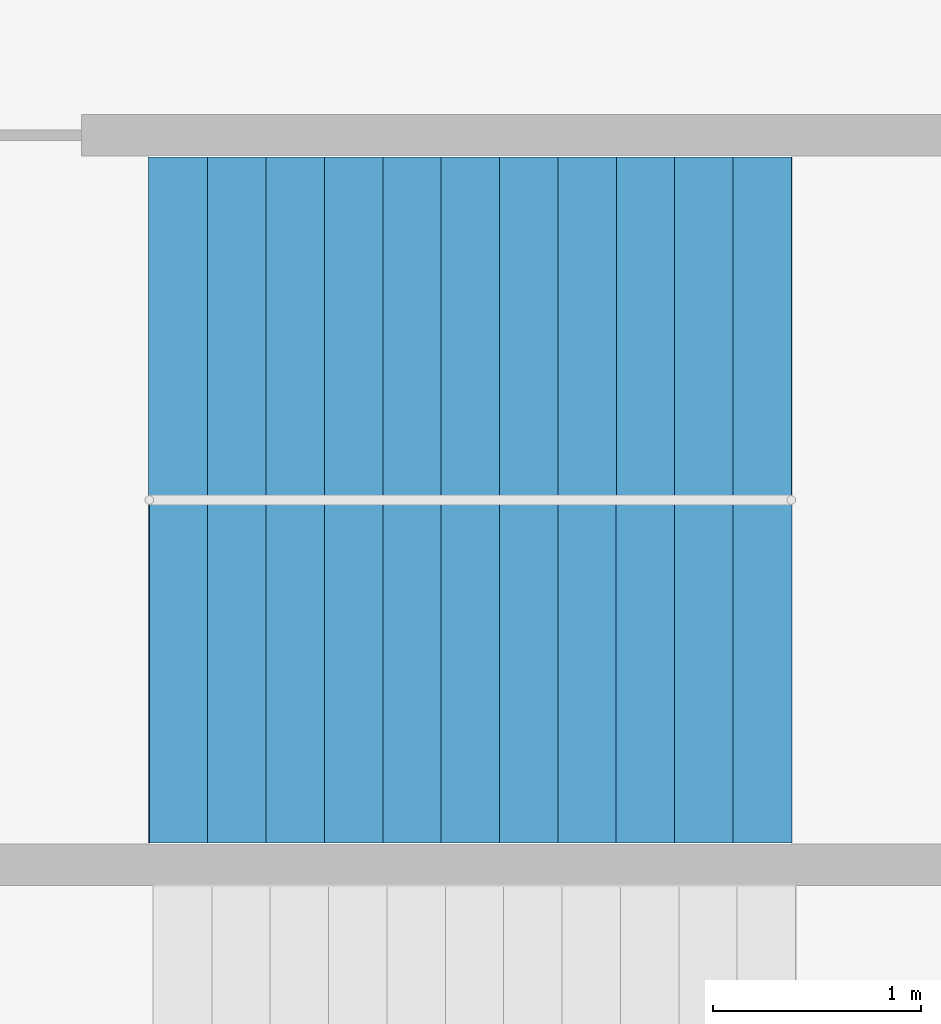
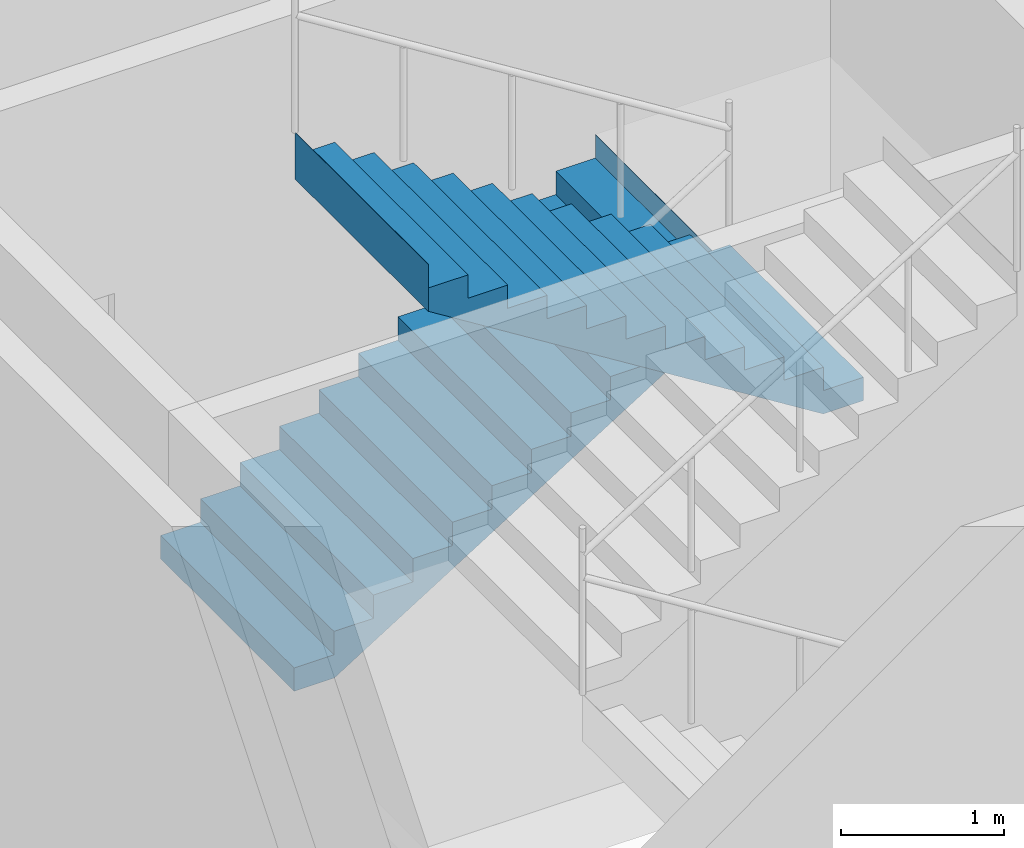
# One storey, part 4 of 5: 2 stair flights, 1 element without a shape of its own.
"""IFC4 building model written with IfcOpenShell, lengths in metres."""

from ifc_helpers import new_model, si_unit, direction, frame, origin, place, context, subcontext, project, spatial, polyline, outline, extrude, material, type_object, element, aggregate, save


model = new_model("IFC4")

# Units and contexts
model_context = context("Model", 3, precision=1e-05, world=origin(), true_north=direction((0.0, 1.0)))
body_context = subcontext(model_context, "Body", "Model", "MODEL_VIEW")
ifc_project = project(units=[si_unit("LENGTHUNIT", "METRE"), si_unit("AREAUNIT", "SQUARE_METRE"), si_unit("VOLUMEUNIT", "CUBIC_METRE"), si_unit("PLANEANGLEUNIT", "RADIAN"), si_unit("MASSUNIT", "GRAM", prefix="KILO")], contexts=[model_context])

# Site, building, storey
site_placement = place(None, origin())
site = spatial("IfcSite", under=ifc_project, at=site_placement, CompositionType="ELEMENT")
building_placement = place(site_placement, origin())
building = spatial("IfcBuilding", under=site, at=building_placement, Name="Qaws Garden Tower", CompositionType="ELEMENT")
storey_placement = place(building_placement, frame((0.0, 0.0, 369.60009765625)))
storey = spatial("IfcBuildingStorey", under=building, at=storey_placement, Name="C2", CompositionType="ELEMENT", Elevation=369.60009765625)

# Stair, stair flights
ifc_material_1 = material(Name="Concrete C40", Category="concrete")
stair_type = type_object("IfcStairType", Name="Exit stair 1350", PredefinedType="HALF_TURN_STAIR", material=ifc_material_1)
stair_placement = place(storey_placement, origin())
stair = element("IfcStair", 1, at=stair_placement, inside=storey, type_object=stair_type, Name="Stair 2", PredefinedType="HALF_TURN_STAIR")
ifc_material_2 = material(Name="Concrete C40", Category="concrete")
stair_flight_type = type_object("IfcStairFlightType", Name="Stair flight 1350", PredefinedType="STRAIGHT", material=ifc_material_2)
stair_flight_1_placement = place(storey_placement, frame((14.35009765625, 36.074951171875, 0.0), z_axis=(0.0, 0.0, 1.0), x_axis=(1.0, 0.0, 0.0)))
stair_flight_1 = element("IfcStairFlight", 2, at=stair_flight_1_placement, type_object=stair_flight_type, Name="CS2 flight 1", NumberOfRisers=12, NumberOfTreads=11, PredefinedType="STRAIGHT", RiserHeight=0.175, TreadLength=0.28, context=body_context, shape_type="SweptSolid", body=[
    extrude(outline(polyline([(-0.0029296875, 0.0), (-0.0029296875, 0.175048828125), (0.0, 0.175048828125), (0.280029296875, 0.175048828125), (0.280029296875, 0.35009765625), (0.56005859375, 0.35009765625), (0.56005859375, 0.52490234375), (0.840087890625, 0.52490234375), (0.840087890625, 0.699951171875), (1.1201171875, 0.699951171875), (1.1201171875, 0.875), (1.39990234375, 0.875), (1.39990234375, 1.050048828125), (1.679931640625, 1.050048828125), (1.679931640625, 1.22509765625), (1.9599609375, 1.22509765625), (1.9599609375, 1.39990234375), (2.239990234375, 1.39990234375), (2.239990234375, 1.574951171875), (2.52001953125, 1.574951171875), (2.52001953125, 1.75), (2.800048828125, 1.75), (2.800048828125, 1.925048828125), (3.080078125, 1.925048828125), (3.080078125, 2.10009765625), (3.0830078125, 2.10009765625), (3.0830078125, 1.748291015625), (3.080078125, 1.748291015625), (0.28271484375, 0.0), (-0.0029296875, 0.0)])), frame((0.0, 0.81982421875, 0.0), z_axis=(0.0, -1.0, 0.0), x_axis=(1.0, 0.0, 0.0)), (0.0, 0.0, 1.0), 1.639892578125),
])
stair_flight_2_placement = place(storey_placement, frame((17.429931640625, 34.425048828125, 2.099853515625), z_axis=(0.0, 0.0, 1.0), x_axis=(-1.0, 0.0, 0.0)))
stair_flight_2 = element("IfcStairFlight", 3, at=stair_flight_2_placement, type_object=stair_flight_type, Name="CS2 flight 2", NumberOfRisers=12, NumberOfTreads=11, PredefinedType="STRAIGHT", RiserHeight=0.175, TreadLength=0.28, context=body_context, shape_type="SweptSolid", body=[
    extrude(outline(polyline([(-0.0029296875, 0.0), (-0.0029296875, 0.175048828125), (0.0, 0.175048828125), (0.280029296875, 0.175048828125), (0.280029296875, 0.35009765625), (0.56005859375, 0.35009765625), (0.56005859375, 0.52490234375), (0.840087890625, 0.52490234375), (0.840087890625, 0.699951171875), (1.1201171875, 0.699951171875), (1.1201171875, 0.875), (1.39990234375, 0.875), (1.39990234375, 1.050048828125), (1.679931640625, 1.050048828125), (1.679931640625, 1.22509765625), (1.9599609375, 1.22509765625), (1.9599609375, 1.39990234375), (2.239990234375, 1.39990234375), (2.239990234375, 1.574951171875), (2.52001953125, 1.574951171875), (2.52001953125, 1.75), (2.800048828125, 1.75), (2.800048828125, 1.925048828125), (3.080078125, 1.925048828125), (3.080078125, 2.10009765625), (3.0830078125, 2.10009765625), (3.0830078125, 1.748291015625), (3.080078125, 1.748291015625), (0.28271484375, 0.0), (-0.0029296875, 0.0)])), frame((0.0, 0.81982421875, 0.0), z_axis=(0.0, -1.0, 0.0), x_axis=(1.0, 0.0, 0.0)), (0.0, 0.0, 1.0), 1.639892578125),
])
aggregate(stair, [stair_flight_1, stair_flight_2])

save(model, "model.ifc")
